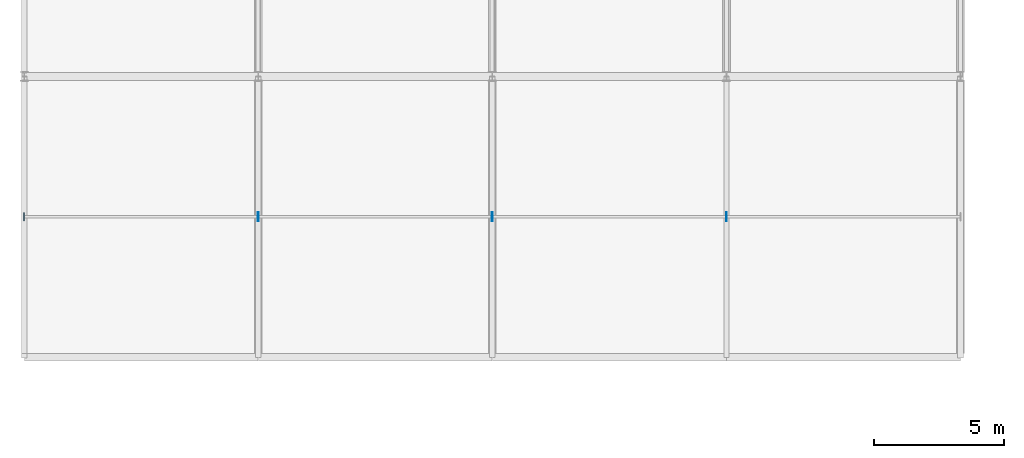
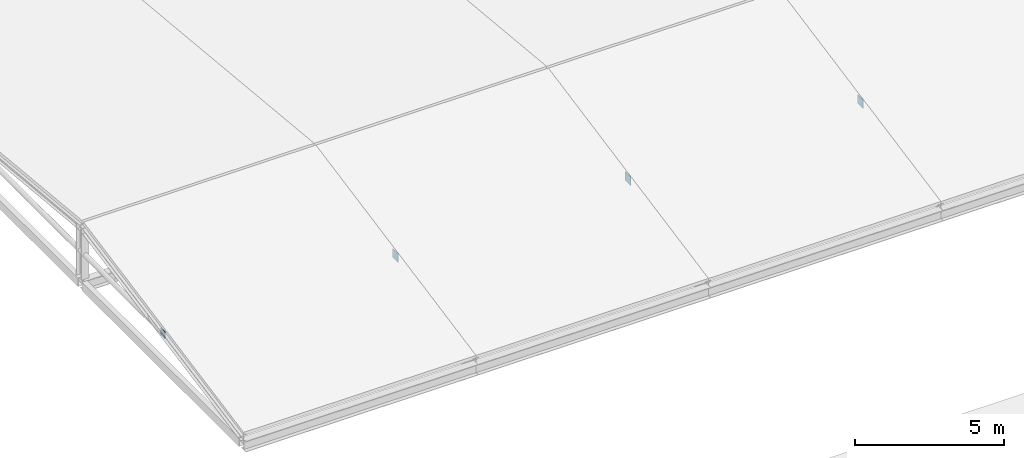
# One storey, part 84 of 110: 4 plates.
"""IFC4 building model written with IfcOpenShell, lengths in metres."""

from ifc_helpers import new_model, si_unit, direction, frame, origin, origin_2d, place, context, subcontext, project, spatial, rectangle, extrude, material, layer, layer_set, type_object, element, save


model = new_model("IFC4")

# Units and contexts
model_context = context("Model", 3, precision=1e-05, world=origin(), true_north=direction((0.0, 1.0)))
body_context = subcontext(model_context, "Body", "Model", "MODEL_VIEW")
ifc_project = project(units=[si_unit("LENGTHUNIT", "METRE"), si_unit("AREAUNIT", "SQUARE_METRE"), si_unit("VOLUMEUNIT", "CUBIC_METRE"), si_unit("PLANEANGLEUNIT", "RADIAN"), si_unit("MASSUNIT", "GRAM", prefix="KILO")], contexts=[model_context])

# Site, building, storey
site_placement = place(None, origin())
site = spatial("IfcSite", under=ifc_project, at=site_placement, CompositionType="ELEMENT")
building_placement = place(site_placement, origin())
building = spatial("IfcBuilding", under=site, at=building_placement, Name="Tamarisk Ironworks Central Station", CompositionType="ELEMENT")
storey_placement = place(building_placement, frame((0.0, 0.0, 17.39990234375)))
storey = spatial("IfcBuildingStorey", under=building, at=storey_placement, Name="L03", CompositionType="ELEMENT", Elevation=17.39990234375)

# Plates
ifc_material_1 = material(Name="Painted structural steel S355J2", Category="steel")
ifc_layer_1 = layer(ifc_material_1, 0.01611328125)
ifc_layer_set_1 = layer_set([ifc_layer_1], Name="Painted structural steel S355J2")
plate_type_1 = type_object("IfcPlateType", Name="PL-EC16", PredefinedType="SHEET", material=ifc_layer_set_1)
plate_placement = place(storey_placement, frame((0.0, 95.39990234375, 0.794921875), z_axis=(0.0, 0.0, 1.0), x_axis=(1.0, 0.0, 0.0)))
element("IfcPlate", 1, at=plate_placement, inside=storey, type_object=plate_type_1, Name="Hollow section welded end-cap plate 24", PredefinedType="SHEET", context=body_context, shape_type="SweptSolid", body=[
    extrude(rectangle(XDim=0.02392578125, YDim=0.300048828125, at=origin_2d()), origin(), (0.0, 0.0, 1.0), 0.300048828125),
])
ifc_material_2 = material(Name="Structural steel S355J2H", Category="steel")
ifc_layer_2 = layer(ifc_material_2, 0.02587890625)
ifc_layer_set_2 = layer_set([ifc_layer_2], Name="Structural steel S355J2H")
plate_type_2 = type_object("IfcPlateType", Name="PL-ND26", PredefinedType="SHEET", material=ifc_layer_set_2)
for number, where, z_axis, x_axis, name in (
    (2, (9.0, 95.39990234375, 0.7998046875), (0.0, 0.0, 1.0), (1.0, 0.0, 0.0), "Pavilion collar tie gusset plate 09-95"),
    (3, (18.0, 95.39990234375, 0.7998046875), (0.0, 0.0, 1.0), (1.0, 0.0, 0.0), "Pavilion collar tie gusset plate 18-95"),
    (4, (27.0, 95.39990234375, 0.7998046875), (0.0, 0.0, 1.0), (1.0, 0.0, 0.0), "Pavilion collar tie gusset plate 27-95"),
):
    element("IfcPlate", number, at=place(storey_placement, frame(where, z_axis=z_axis, x_axis=x_axis)), inside=storey, type_object=plate_type_2, Name=name, PredefinedType="SHEET", context=body_context, shape_type="SweptSolid", body=[
        extrude(rectangle(XDim=0.02587890625, YDim=0.360107421875, at=origin_2d()), origin(), (0.0, 0.0, 1.0), 0.360107421875),
    ])

save(model, "model.ifc")
